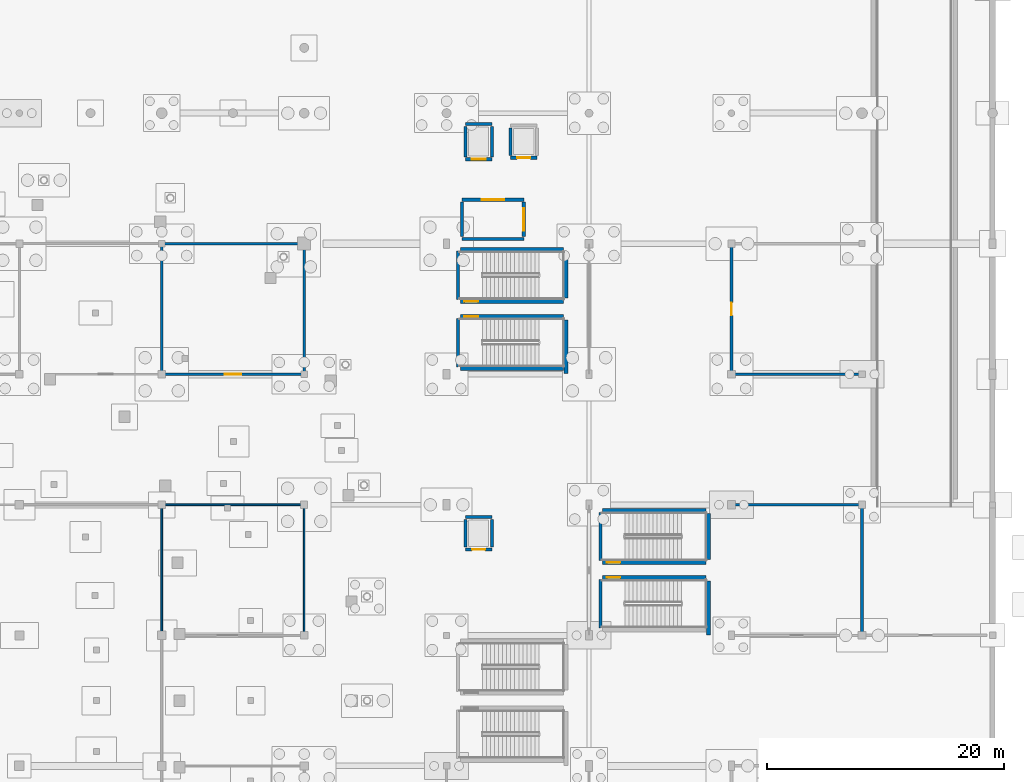
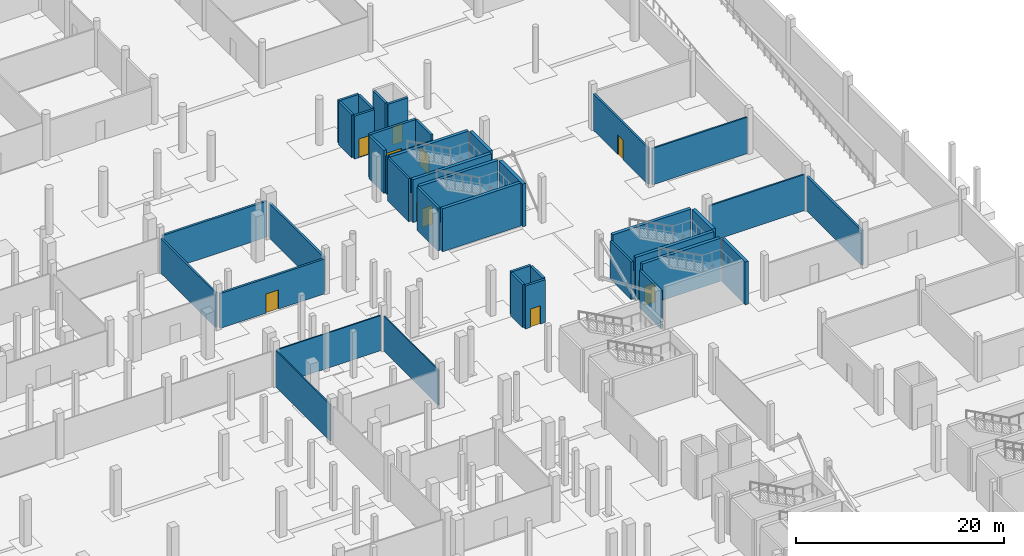
# One storey, part 39 of 60: 40 walls, 11 doors, 11 openings.
"""IFC4 building model written with IfcOpenShell, lengths in metres."""

from ifc_helpers import new_model, si_unit, direction, frame, frame_2d, origin, place, context, subcontext, project, spatial, rectangle, extrude, material, layer, layer_set, type_object, element, fill, save


model = new_model("IFC4")

# Units and contexts
model_context = context("Model", 3, precision=1e-05, world=origin(), true_north=direction((0.0, 1.0)))
body_context = subcontext(model_context, "Body", "Model", "MODEL_VIEW")
ifc_project = project(units=[si_unit("LENGTHUNIT", "METRE"), si_unit("AREAUNIT", "SQUARE_METRE"), si_unit("VOLUMEUNIT", "CUBIC_METRE"), si_unit("PLANEANGLEUNIT", "RADIAN"), si_unit("MASSUNIT", "GRAM", prefix="KILO")], contexts=[model_context])

# Site, building, storey
site_placement = place(None, origin())
site = spatial("IfcSite", under=ifc_project, at=site_placement, CompositionType="ELEMENT")
building_placement = place(site_placement, origin())
building = spatial("IfcBuilding", under=site, at=building_placement, Name="Luwafu Chhajja Arena", CompositionType="ELEMENT")
storey_placement = place(building_placement, frame((0.0, 0.0, -5.39990234375)))
storey = spatial("IfcBuildingStorey", under=building, at=storey_placement, Name="B1", CompositionType="ELEMENT", Elevation=-5.39990234375)

# Wall
ifc_material_1 = material(Name="Acoustic gypsum and mineral wool partition")
ifc_layer_1 = layer(ifc_material_1, 0.199951171875, Name="Acoustic gypsum and mineral wool partition")
ifc_layer_set_1 = layer_set([ifc_layer_1], Name="Acoustic gypsum and mineral wool partition")
wall_type_1 = type_object("IfcWallType", Name="Acoustic Broadcast Studio Partition 200", PredefinedType="PARTITIONING", material=ifc_layer_set_1)
wall_1_placement = place(storey_placement, frame((128.0, 77.219970703125, 0.0), z_axis=(0.0, 0.0, 1.0), x_axis=(0.0, 1.0, 0.0)))
element("IfcWall", 1, at=wall_1_placement, inside=storey, type_object=wall_type_1, Name="B1 Internal Partition 0126", PredefinedType="PARTITIONING", context=body_context, shape_type="SweptSolid", body=[
    extrude(rectangle(XDim=10.56005859375, YDim=0.199951171875, at=frame_2d((5.280029296875, 0.0))), origin(), (0.0, 0.0, 1.0), 4.079833984375),
])

# Wall, opening, door
ifc_material_2 = material(Name="Concrete blockwork masonry", Category="masonry")
ifc_layer_2 = layer(ifc_material_2, 0.239990234375, Name="Concrete blockwork masonry")
ifc_layer_set_2 = layer_set([ifc_layer_2], Name="Concrete blockwork masonry")
wall_type_2 = type_object("IfcWallType", Name="Compartment Masonry Partition 240", PredefinedType="PARTITIONING", material=ifc_layer_set_2)
wall_2_placement = place(storey_placement, frame((128.219970703125, 77.0, 0.0), z_axis=(0.0, 0.0, 1.0), x_axis=(1.0, 0.0, 0.0)))
wall_2 = element("IfcWall", 2, at=wall_2_placement, inside=storey, type_object=wall_type_2, Name="B1 Internal Partition 0068", PredefinedType="PARTITIONING", context=body_context, shape_type="SweptSolid", body=[
    extrude(rectangle(XDim=11.56005859375, YDim=0.239990234375, at=frame_2d((5.780029296875, 0.0))), origin(), (0.0, 0.0, 1.0), 4.079833984375),
])
opening_1_placement = place(wall_2_placement, frame((5.070068359375, 0.0, 0.0)))
opening_1 = element("IfcOpeningElement", 3, at=opening_1_placement, cuts=wall_2, Name="Opening DR-12", PredefinedType="OPENING", context=body_context, shape_type="SweptSolid", body=[
    extrude(rectangle(XDim=1.419921875, YDim=2.25, at=frame_2d((0.7099609375, 1.125))), frame((0.0, 0.1298828125, 0.0), z_axis=(0.0, -1.0, 0.0), x_axis=(1.0, 0.0, 0.0)), (0.0, 0.0, 1.0), 0.260009765625),
])
ifc_material_3 = material(Name="Powder-coated steel fire leaf", Category="steel")
door_type_1 = type_object("IfcDoorType", Name="DR-12", OperationType="NOTDEFINED", PredefinedType="DOOR", material=ifc_material_3)
door_1_placement = place(opening_1_placement, origin())
door_1 = element("IfcDoor", 4, at=door_1_placement, inside=storey, type_object=door_type_1, Name="B1 Interior Door B1-D057", OperationType="SINGLE_SWING_LEFT", OverallHeight=2.25, OverallWidth=1.419921875, PredefinedType="DOOR", context=body_context, shape_type="SweptSolid", body=[
    extrude(rectangle(XDim=1.419921875, YDim=2.25, at=frame_2d((0.7099609375, 1.125))), frame((0.0, 0.02490234375, 0.0), z_axis=(0.0, -1.0, 0.0), x_axis=(1.0, 0.0, 0.0)), (0.0, 0.0, 1.0), 0.050048828125),
])
fill(opening_1, door_1)

# Walls
wall_3_placement = place(storey_placement, frame((128.219970703125, 88.0, 0.0), z_axis=(0.0, 0.0, 1.0), x_axis=(1.0, 0.0, 0.0)))
element("IfcWall", 5, at=wall_3_placement, inside=storey, type_object=wall_type_2, Name="B1 Internal Partition 0069", PredefinedType="PARTITIONING", context=body_context, shape_type="SweptSolid", body=[
    extrude(rectangle(XDim=11.56005859375, YDim=0.239990234375, at=frame_2d((5.780029296875, 0.0))), origin(), (0.0, 0.0, 1.0), 4.22998046875),
])
for number, where, z_axis, x_axis, name in (
    (6, (140.0, 77.219970703125, 0.0), (0.0, 0.0, 1.0), (0.0, 1.0, 0.0), "B1 Internal Partition 0070"),
    (7, (187.0, 55.219970703125, 0.0), (0.0, 0.0, 1.0), (0.0, 1.0, 0.0), "B1 Internal Partition 0135"),
):
    element("IfcWall", number, at=place(storey_placement, frame(where, z_axis=z_axis, x_axis=x_axis)), inside=storey, type_object=wall_type_2, Name=name, PredefinedType="PARTITIONING", context=body_context, shape_type="SweptSolid", body=[
        extrude(rectangle(XDim=10.56005859375, YDim=0.239990234375, at=frame_2d((5.280029296875, 0.0))), origin(), (0.0, 0.0, 1.0), 4.079833984375),
    ])
ifc_material_4 = material(Name="Lightweight blockwork partition", Category="masonry")
ifc_layer_3 = layer(ifc_material_4, 0.139892578125, Name="Lightweight blockwork partition")
ifc_layer_set_3 = layer_set([ifc_layer_3], Name="Lightweight blockwork partition")
wall_type_3 = type_object("IfcWallType", Name="Concourse Kiosk Partition 140", PredefinedType="PARTITIONING", material=ifc_layer_set_3)
wall_4_placement = place(storey_placement, frame((128.219970703125, 66.0, 0.0), z_axis=(0.0, 0.0, 1.0), x_axis=(1.0, 0.0, 0.0)))
element("IfcWall", 8, at=wall_4_placement, inside=storey, type_object=wall_type_3, Name="B1 Internal Partition 0066", PredefinedType="PARTITIONING", context=body_context, shape_type="SweptSolid", body=[
    extrude(rectangle(XDim=11.56005859375, YDim=0.139892578125, at=frame_2d((5.780029296875, 0.0))), origin(), (0.0, 0.0, 1.0), 4.1298828125),
])
wall_5_placement = place(storey_placement, frame((128.0, 55.219970703125, 0.0), z_axis=(0.0, 0.0, 1.0), x_axis=(0.0, 1.0, 0.0)))
element("IfcWall", 9, at=wall_5_placement, inside=storey, type_object=wall_type_3, Name="B1 Internal Partition 0101", PredefinedType="PARTITIONING", context=body_context, shape_type="SweptSolid", body=[
    extrude(rectangle(XDim=10.56005859375, YDim=0.139892578125, at=frame_2d((5.280029296875, 0.0))), origin(), (0.0, 0.0, 1.0), 4.27978515625),
])

# Wall, opening, door
ifc_material_5 = material(Name="Concrete C40/50", Category="concrete")
ifc_layer_4 = layer(ifc_material_5, 0.260009765625, Name="Concrete C40/50")
ifc_layer_set_4 = layer_set([ifc_layer_4], Name="Concrete C40/50")
wall_type_4 = type_object("IfcWallType", Name="Firefighting Lobby Wall 260", PredefinedType="SOLIDWALL", material=ifc_layer_set_4)
wall_6_placement = place(storey_placement, frame((153.300048828125, 91.699951171875, 0.0), z_axis=(0.0, 0.0, 1.0), x_axis=(1.0, 0.0, 0.0)))
wall_6 = element("IfcWall", 10, at=wall_6_placement, inside=storey, type_object=wall_type_4, Name="B1 Core C4 Firefighting Lobby Wall N", PredefinedType="SOLIDWALL", context=body_context, shape_type="SweptSolid", body=[
    extrude(rectangle(XDim=5.199951171875, YDim=0.260009765625, at=frame_2d((2.60009765625, 0.0))), origin(), (0.0, 0.0, 1.0), 5.039794921875),
])
opening_2_placement = place(wall_6_placement, frame((1.64990234375, 0.0, 0.0)))
opening_2 = element("IfcOpeningElement", 11, at=opening_2_placement, cuts=wall_6, Name="Opening DR-07", PredefinedType="OPENING", context=body_context, shape_type="SweptSolid", body=[
    extrude(rectangle(XDim=1.89990234375, YDim=2.199951171875, at=frame_2d((0.949951171875, 1.10009765625))), frame((0.0, 0.139892578125, 0.0), z_axis=(0.0, -1.0, 0.0), x_axis=(1.0, 0.0, 0.0)), (0.0, 0.0, 1.0), 0.280029296875),
])
ifc_material_6 = material(Name="Fire-rated hardwood and vision panel", Category="wood")
door_type_2 = type_object("IfcDoorType", Name="DR-07", OperationType="DOUBLE_DOOR_SINGLE_SWING", PredefinedType="DOOR", material=ifc_material_6)
door_2_placement = place(opening_2_placement, origin())
door_2 = element("IfcDoor", 12, at=door_2_placement, inside=storey, type_object=door_type_2, Name="B1 Firefighting Lobby C4 Door B1-D015", OperationType="DOUBLE_DOOR_SINGLE_SWING", OverallHeight=2.199951171875, OverallWidth=1.89990234375, PredefinedType="DOOR", context=body_context, shape_type="SweptSolid", body=[
    extrude(rectangle(XDim=1.89990234375, YDim=2.199951171875, at=frame_2d((0.949951171875, 1.10009765625))), frame((0.0, 0.02490234375, 0.0), z_axis=(0.0, -1.0, 0.0), x_axis=(1.0, 0.0, 0.0)), (0.0, 0.0, 1.0), 0.050048828125),
])
fill(opening_2, door_2)

# Walls
wall_7_placement = place(storey_placement, frame((153.300048828125, 88.39990234375, 0.0), z_axis=(0.0, 0.0, 1.0), x_axis=(1.0, 0.0, 0.0)))
element("IfcWall", 13, at=wall_7_placement, inside=storey, type_object=wall_type_4, Name="B1 Core C4 Firefighting Lobby Wall S", PredefinedType="SOLIDWALL", context=body_context, shape_type="SweptSolid", body=[
    extrude(rectangle(XDim=5.199951171875, YDim=0.260009765625, at=frame_2d((2.60009765625, 0.0))), origin(), (0.0, 0.0, 1.0), 4.429931640625),
])
wall_8_placement = place(storey_placement, frame((153.300048828125, 88.60009765625, 0.0), z_axis=(0.0, 0.0, 1.0), x_axis=(0.0, 1.0, 0.0)))
element("IfcWall", 14, at=wall_8_placement, inside=storey, type_object=wall_type_4, Name="B1 Core C4 Firefighting Lobby Wall W", PredefinedType="SOLIDWALL", context=body_context, shape_type="SweptSolid", body=[
    extrude(rectangle(XDim=2.89990234375, YDim=0.260009765625, at=frame_2d((1.449951171875, 0.0))), origin(), (0.0, 0.0, 1.0), 5.039794921875),
])

# Wall, opening, door
wall_9_placement = place(storey_placement, frame((158.5, 88.60009765625, 0.0), z_axis=(0.0, 0.0, 1.0), x_axis=(0.0, 1.0, 0.0)))
wall_9 = element("IfcWall", 15, at=wall_9_placement, inside=storey, type_object=wall_type_4, Name="B1 Core C4 Firefighting Lobby Wall E", PredefinedType="SOLIDWALL", context=body_context, shape_type="SweptSolid", body=[
    extrude(rectangle(XDim=2.89990234375, YDim=0.260009765625, at=frame_2d((1.449951171875, 0.0))), origin(), (0.0, 0.0, 1.0), 5.039794921875),
])
opening_3_placement = place(wall_9_placement, frame((0.5, 0.0, 0.0)))
opening_3 = element("IfcOpeningElement", 16, at=opening_3_placement, cuts=wall_9, Name="Opening DR-07", PredefinedType="OPENING", context=body_context, shape_type="SweptSolid", body=[
    extrude(rectangle(XDim=1.89990234375, YDim=2.199951171875, at=frame_2d((0.949951171875, 1.10009765625))), frame((0.0, 0.139892578125, 0.0), z_axis=(0.0, -1.0, 0.0), x_axis=(1.0, 0.0, 0.0)), (0.0, 0.0, 1.0), 0.280029296875),
])
door_3_placement = place(opening_3_placement, origin())
door_3 = element("IfcDoor", 17, at=door_3_placement, inside=storey, type_object=door_type_2, Name="B1 Firefighting Lobby C4 Door B1-D016", OperationType="DOUBLE_DOOR_SINGLE_SWING", OverallHeight=2.199951171875, OverallWidth=1.89990234375, PredefinedType="DOOR", context=body_context, shape_type="SweptSolid", body=[
    extrude(rectangle(XDim=1.89990234375, YDim=2.199951171875, at=frame_2d((0.949951171875, 1.10009765625))), frame((0.0, 0.02490234375, 0.0), z_axis=(0.0, -1.0, 0.0), x_axis=(1.0, 0.0, 0.0)), (0.0, 0.0, 1.0), 0.050048828125),
])
fill(opening_3, door_3)

# Walls
ifc_layer_5 = layer(ifc_material_2, 0.179931640625, Name="Concrete blockwork masonry")
ifc_layer_set_5 = layer_set([ifc_layer_5], Name="Concrete blockwork masonry")
wall_type_5 = type_object("IfcWallType", Name="Hospitality Suite Partition 180", PredefinedType="PARTITIONING", material=ifc_layer_set_5)
wall_10_placement = place(storey_placement, frame((176.219970703125, 66.0, 0.0), z_axis=(0.0, 0.0, 1.0), x_axis=(1.0, 0.0, 0.0)))
element("IfcWall", 18, at=wall_10_placement, inside=storey, type_object=wall_type_5, Name="B1 Internal Partition 0090", PredefinedType="PARTITIONING", context=body_context, shape_type="SweptSolid", body=[
    extrude(rectangle(XDim=10.56005859375, YDim=0.179931640625, at=frame_2d((5.280029296875, 0.0))), origin(), (0.0, 0.0, 1.0), 4.22998046875),
])
wall_11_placement = place(storey_placement, frame((176.219970703125, 77.0, 0.0), z_axis=(0.0, 0.0, 1.0), x_axis=(1.0, 0.0, 0.0)))
element("IfcWall", 19, at=wall_11_placement, inside=storey, type_object=wall_type_5, Name="B1 Internal Partition 0091", PredefinedType="PARTITIONING", context=body_context, shape_type="SweptSolid", body=[
    extrude(rectangle(XDim=10.56005859375, YDim=0.179931640625, at=frame_2d((5.280029296875, 0.0))), origin(), (0.0, 0.0, 1.0), 4.27978515625),
])
ifc_material_7 = material(Name="Acoustic metal-stud gypsum board")
ifc_layer_6 = layer(ifc_material_7, 0.1201171875, Name="Acoustic metal-stud gypsum board")
ifc_layer_set_6 = layer_set([ifc_layer_6], Name="Acoustic metal-stud gypsum board")
wall_type_6 = type_object("IfcWallType", Name="Internal Room Partition 120", PredefinedType="PARTITIONING", material=ifc_layer_set_6)
wall_12_placement = place(storey_placement, frame((140.0, 55.219970703125, 0.0), z_axis=(0.0, 0.0, 1.0), x_axis=(0.0, 1.0, 0.0)))
element("IfcWall", 20, at=wall_12_placement, inside=storey, type_object=wall_type_6, Name="B1 Internal Partition 0067", PredefinedType="PARTITIONING", context=body_context, shape_type="SweptSolid", body=[
    extrude(rectangle(XDim=10.56005859375, YDim=0.1201171875, at=frame_2d((5.280029296875, 0.0))), origin(), (0.0, 0.0, 1.0), 4.1298828125),
])

# Wall, opening, door
ifc_material_8 = material(Name="Concrete C35/45", Category="concrete")
ifc_layer_7 = layer(ifc_material_8, 0.260009765625, Name="Concrete C35/45")
ifc_layer_set_7 = layer_set([ifc_layer_7], Name="Concrete C35/45")
wall_type_7 = type_object("IfcWallType", Name="Lift and Riser Shaft Wall 260", PredefinedType="SOLIDWALL", material=ifc_layer_set_7)
wall_13_placement = place(storey_placement, frame((153.590087890625, 95.114990234375, 0.0), z_axis=(0.0, 0.0, 1.0), x_axis=(1.0, 0.0, 0.0)))
wall_13 = element("IfcWall", 21, at=wall_13_placement, inside=storey, type_object=wall_type_7, Name="B1 Lift LF-04 Shaft Wall S", PredefinedType="SOLIDWALL", context=body_context, shape_type="SweptSolid", body=[
    extrude(rectangle(XDim=2.219970703125, YDim=0.260009765625, at=frame_2d((1.10986328125, 0.0))), origin(), (0.0, 0.0, 1.0), 5.039794921875),
])
opening_4_placement = place(wall_13_placement, frame((0.510009765625, 0.0, 0.0)))
opening_4 = element("IfcOpeningElement", 22, at=opening_4_placement, cuts=wall_13, Name="Opening LD-02", PredefinedType="OPENING", context=body_context, shape_type="SweptSolid", body=[
    extrude(rectangle(XDim=1.199951171875, YDim=2.199951171875, at=frame_2d((0.60009765625, 1.10009765625))), frame((0.0, 0.139892578125, 0.0), z_axis=(0.0, -1.0, 0.0), x_axis=(1.0, 0.0, 0.0)), (0.0, 0.0, 1.0), 0.280029296875),
])
ifc_material_9 = material(Name="Brushed stainless steel sliding leaves", Category="steel")
door_type_3 = type_object("IfcDoorType", Name="LD-02", OperationType="SLIDING_TO_LEFT", PredefinedType="DOOR", material=ifc_material_9)
door_4_placement = place(opening_4_placement, origin())
door_4 = element("IfcDoor", 23, at=door_4_placement, inside=storey, type_object=door_type_3, Name="B1 Lift LF-04 Landing Door B1-LD07", OperationType="SLIDING_TO_LEFT", OverallHeight=2.199951171875, OverallWidth=1.199951171875, PredefinedType="DOOR", context=body_context, shape_type="SweptSolid", body=[
    extrude(rectangle(XDim=1.199951171875, YDim=2.199951171875, at=frame_2d((0.60009765625, 1.10009765625))), frame((0.0, 0.02490234375, 0.0), z_axis=(0.0, -1.0, 0.0), x_axis=(1.0, 0.0, 0.0)), (0.0, 0.0, 1.0), 0.050048828125),
])
fill(opening_4, door_4)

# Walls
wall_14_placement = place(storey_placement, frame((153.590087890625, 98.0849609375, 0.0), z_axis=(0.0, 0.0, 1.0), x_axis=(1.0, 0.0, 0.0)))
element("IfcWall", 24, at=wall_14_placement, inside=storey, type_object=wall_type_7, Name="B1 Lift LF-04 Shaft Wall N", PredefinedType="SOLIDWALL", context=body_context, shape_type="SweptSolid", body=[
    extrude(rectangle(XDim=2.219970703125, YDim=0.260009765625, at=frame_2d((1.10986328125, 0.0))), origin(), (0.0, 0.0, 1.0), 5.039794921875),
])
for number, where, z_axis, x_axis, name in (
    (25, (153.590087890625, 95.31494140625, 0.0), (0.0, 0.0, 1.0), (0.0, 1.0, 0.0), "B1 Lift LF-04 Shaft Wall W"),
    (26, (155.81005859375, 95.31494140625, 0.0), (0.0, 0.0, 1.0), (0.0, 1.0, 0.0), "B1 Lift LF-04 Shaft Wall E"),
):
    element("IfcWall", number, at=place(storey_placement, frame(where, z_axis=z_axis, x_axis=x_axis)), inside=storey, type_object=wall_type_7, Name=name, PredefinedType="SOLIDWALL", context=body_context, shape_type="SweptSolid", body=[
        extrude(rectangle(XDim=2.570068359375, YDim=0.260009765625, at=frame_2d((1.28515625, 0.0))), origin(), (0.0, 0.0, 1.0), 5.039794921875),
    ])

# Wall, opening, door
wall_15_placement = place(storey_placement, frame((157.389892578125, 95.239990234375, 0.0), z_axis=(0.0, 0.0, 1.0), x_axis=(1.0, 0.0, 0.0)))
wall_15 = element("IfcWall", 27, at=wall_15_placement, inside=storey, type_object=wall_type_7, Name="B1 Lift LF-08 Shaft Wall S", PredefinedType="SOLIDWALL", context=body_context, shape_type="SweptSolid", body=[
    extrude(rectangle(XDim=2.22021484375, YDim=0.260009765625, at=frame_2d((1.110107421875, 0.0))), origin(), (0.0, 0.0, 1.0), 5.039794921875),
])
opening_5_placement = place(wall_15_placement, frame((0.56005859375, 0.0, 0.0)))
opening_5 = element("IfcOpeningElement", 28, at=opening_5_placement, cuts=wall_15, Name="Opening LD-01", PredefinedType="OPENING", context=body_context, shape_type="SweptSolid", body=[
    extrude(rectangle(XDim=1.10009765625, YDim=2.14990234375, at=frame_2d((0.550048828125, 1.074951171875))), frame((0.0, 0.139892578125, 0.0), z_axis=(0.0, -1.0, 0.0), x_axis=(1.0, 0.0, 0.0)), (0.0, 0.0, 1.0), 0.280029296875),
])
door_type_4 = type_object("IfcDoorType", Name="LD-01", OperationType="SLIDING_TO_LEFT", PredefinedType="DOOR", material=ifc_material_9)
door_5_placement = place(opening_5_placement, origin())
door_5 = element("IfcDoor", 29, at=door_5_placement, inside=storey, type_object=door_type_4, Name="B1 Lift LF-08 Landing Door B1-LD08", OperationType="SLIDING_TO_LEFT", OverallHeight=2.14990234375, OverallWidth=1.10009765625, PredefinedType="DOOR", context=body_context, shape_type="SweptSolid", body=[
    extrude(rectangle(XDim=1.10009765625, YDim=2.14990234375, at=frame_2d((0.550048828125, 1.074951171875))), frame((0.0, 0.02490234375, 0.0), z_axis=(0.0, -1.0, 0.0), x_axis=(1.0, 0.0, 0.0)), (0.0, 0.0, 1.0), 0.050048828125),
])
fill(opening_5, door_5)

# Wall
wall_16_placement = place(storey_placement, frame((157.389892578125, 95.43994140625, 0.0), z_axis=(0.0, 0.0, 1.0), x_axis=(0.0, 1.0, 0.0)))
element("IfcWall", 30, at=wall_16_placement, inside=storey, type_object=wall_type_7, Name="B1 Lift LF-08 Shaft Wall W", PredefinedType="SOLIDWALL", context=body_context, shape_type="SweptSolid", body=[
    extrude(rectangle(XDim=2.320068359375, YDim=0.260009765625, at=frame_2d((1.16015625, 0.0))), origin(), (0.0, 0.0, 1.0), 5.039794921875),
])

# Wall, opening, door
wall_17_placement = place(storey_placement, frame((153.590087890625, 62.239990234375, 0.0), z_axis=(0.0, 0.0, 1.0), x_axis=(1.0, 0.0, 0.0)))
wall_17 = element("IfcWall", 31, at=wall_17_placement, inside=storey, type_object=wall_type_7, Name="B1 Lift LF-10 Shaft Wall S", PredefinedType="SOLIDWALL", context=body_context, shape_type="SweptSolid", body=[
    extrude(rectangle(XDim=2.219970703125, YDim=0.260009765625, at=frame_2d((1.10986328125, 0.0))), origin(), (0.0, 0.0, 1.0), 5.039794921875),
])
opening_6_placement = place(wall_17_placement, frame((0.56005859375, 0.0, 0.0)))
opening_6 = element("IfcOpeningElement", 32, at=opening_6_placement, cuts=wall_17, Name="Opening LD-01", PredefinedType="OPENING", context=body_context, shape_type="SweptSolid", body=[
    extrude(rectangle(XDim=1.10009765625, YDim=2.14990234375, at=frame_2d((0.550048828125, 1.074951171875))), frame((0.0, 0.139892578125, 0.0), z_axis=(0.0, -1.0, 0.0), x_axis=(1.0, 0.0, 0.0)), (0.0, 0.0, 1.0), 0.280029296875),
])
door_6_placement = place(opening_6_placement, origin())
door_6 = element("IfcDoor", 33, at=door_6_placement, inside=storey, type_object=door_type_4, Name="B1 Lift LF-10 Landing Door B1-LD10", OperationType="SLIDING_TO_LEFT", OverallHeight=2.14990234375, OverallWidth=1.10009765625, PredefinedType="DOOR", context=body_context, shape_type="SweptSolid", body=[
    extrude(rectangle(XDim=1.10009765625, YDim=2.14990234375, at=frame_2d((0.550048828125, 1.074951171875))), frame((0.0, 0.02490234375, 0.0), z_axis=(0.0, -1.0, 0.0), x_axis=(1.0, 0.0, 0.0)), (0.0, 0.0, 1.0), 0.050048828125),
])
fill(opening_6, door_6)

# Walls
wall_18_placement = place(storey_placement, frame((153.590087890625, 64.9599609375, 0.0), z_axis=(0.0, 0.0, 1.0), x_axis=(1.0, 0.0, 0.0)))
element("IfcWall", 34, at=wall_18_placement, inside=storey, type_object=wall_type_7, Name="B1 Lift LF-10 Shaft Wall N", PredefinedType="SOLIDWALL", context=body_context, shape_type="SweptSolid", body=[
    extrude(rectangle(XDim=2.219970703125, YDim=0.260009765625, at=frame_2d((1.10986328125, 0.0))), origin(), (0.0, 0.0, 1.0), 5.039794921875),
])
for number, where, z_axis, x_axis, name in (
    (35, (153.590087890625, 62.43994140625, 0.0), (0.0, 0.0, 1.0), (0.0, 1.0, 0.0), "B1 Lift LF-10 Shaft Wall W"),
    (36, (155.81005859375, 62.43994140625, 0.0), (0.0, 0.0, 1.0), (0.0, 1.0, 0.0), "B1 Lift LF-10 Shaft Wall E"),
):
    element("IfcWall", number, at=place(storey_placement, frame(where, z_axis=z_axis, x_axis=x_axis)), inside=storey, type_object=wall_type_7, Name=name, PredefinedType="SOLIDWALL", context=body_context, shape_type="SweptSolid", body=[
        extrude(rectangle(XDim=2.320068359375, YDim=0.260009765625, at=frame_2d((1.16015625, 0.0))), origin(), (0.0, 0.0, 1.0), 5.039794921875),
    ])

# Wall, opening, door
ifc_layer_8 = layer(ifc_material_2, 0.219970703125, Name="Concrete blockwork masonry")
ifc_layer_set_8 = layer_set([ifc_layer_8], Name="Concrete blockwork masonry")
wall_type_8 = type_object("IfcWallType", Name="Protected Corridor Partition 220", PredefinedType="PARTITIONING", material=ifc_layer_set_8)
wall_19_placement = place(storey_placement, frame((176.0, 77.219970703125, 0.0), z_axis=(0.0, 0.0, 1.0), x_axis=(0.0, 1.0, 0.0)))
wall_19 = element("IfcWall", 37, at=wall_19_placement, inside=storey, type_object=wall_type_8, Name="B1 Internal Partition 0085", PredefinedType="PARTITIONING", context=body_context, shape_type="SweptSolid", body=[
    extrude(rectangle(XDim=10.56005859375, YDim=0.219970703125, at=frame_2d((5.280029296875, 0.0))), origin(), (0.0, 0.0, 1.0), 4.27978515625),
])
opening_7_placement = place(wall_19_placement, frame((4.75, 0.0, 0.0)))
opening_7 = element("IfcOpeningElement", 38, at=opening_7_placement, cuts=wall_19, Name="Opening DR-14", PredefinedType="OPENING", context=body_context, shape_type="SweptSolid", body=[
    extrude(rectangle(XDim=1.06005859375, YDim=2.300048828125, at=frame_2d((0.530029296875, 1.14990234375))), frame((0.0, 0.119873046875, 0.0), z_axis=(0.0, -1.0, 0.0), x_axis=(1.0, 0.0, 0.0)), (0.0, 0.0, 1.0), 0.239990234375),
])
ifc_material_10 = material(Name="Veneered hardwood acoustic leaf", Category="wood")
door_type_5 = type_object("IfcDoorType", Name="DR-14", OperationType="NOTDEFINED", PredefinedType="DOOR", material=ifc_material_10)
door_7_placement = place(opening_7_placement, origin())
door_7 = element("IfcDoor", 39, at=door_7_placement, inside=storey, type_object=door_type_5, Name="B1 Interior Door B1-D067", OperationType="SINGLE_SWING_RIGHT", OverallHeight=2.300048828125, OverallWidth=1.06005859375, PredefinedType="DOOR", context=body_context, shape_type="SweptSolid", body=[
    extrude(rectangle(XDim=1.06005859375, YDim=2.300048828125, at=frame_2d((0.530029296875, 1.14990234375))), frame((0.0, 0.02490234375, 0.0), z_axis=(0.0, -1.0, 0.0), x_axis=(1.0, 0.0, 0.0)), (0.0, 0.0, 1.0), 0.050048828125),
])
fill(opening_7, door_7)

# Walls
ifc_layer_9 = layer(ifc_material_5, 0.35009765625, Name="Concrete C40/50")
ifc_layer_set_9 = layer_set([ifc_layer_9], Name="Concrete C40/50")
wall_type_9 = type_object("IfcWallType", Name="RC Core Shear Wall 350", PredefinedType="SOLIDWALL", material=ifc_layer_set_9)
wall_20_placement = place(storey_placement, frame((162.072021484375, 77.050048828125, 0.0), z_axis=(0.0, 0.0, 1.0), x_axis=(0.0, 1.0, 0.0)))
element("IfcWall", 40, at=wall_20_placement, inside=storey, type_object=wall_type_9, Name="B1 Stair ST-07 Core Shear Wall E", PredefinedType="SOLIDWALL", context=body_context, shape_type="SweptSolid", body=[
    extrude(rectangle(XDim=4.5400390625, YDim=0.35009765625, at=frame_2d((2.27001953125, 0.0))), origin(), (0.0, 0.0, 1.0), 5.039794921875),
])
wall_21_placement = place(storey_placement, frame((153.14990234375, 77.47802734375, 0.0), z_axis=(0.0, 0.0, 1.0), x_axis=(1.0, 0.0, 0.0)))
element("IfcWall", 41, at=wall_21_placement, inside=storey, type_object=wall_type_9, Name="B1 Stair ST-07 Core Shear Wall S", PredefinedType="SOLIDWALL", context=body_context, shape_type="SweptSolid", body=[
    extrude(rectangle(XDim=8.7001953125, YDim=0.35009765625, at=frame_2d((4.35009765625, 0.0))), origin(), (0.0, 0.0, 1.0), 5.039794921875),
])

# Wall, opening, door
wall_22_placement = place(storey_placement, frame((153.14990234375, 81.862060546875, 0.0), z_axis=(0.0, 0.0, 1.0), x_axis=(1.0, 0.0, 0.0)))
wall_22 = element("IfcWall", 42, at=wall_22_placement, inside=storey, type_object=wall_type_9, Name="B1 Stair ST-07 Core Shear Wall N", PredefinedType="SOLIDWALL", context=body_context, shape_type="SweptSolid", body=[
    extrude(rectangle(XDim=8.7001953125, YDim=0.35009765625, at=frame_2d((4.35009765625, 0.0))), origin(), (0.0, 0.0, 1.0), 5.039794921875),
])
opening_8_placement = place(wall_22_placement, frame((0.35009765625, 0.0, 0.0)))
opening_8 = element("IfcOpeningElement", 43, at=opening_8_placement, cuts=wall_22, Name="Opening DR-06", PredefinedType="OPENING", context=body_context, shape_type="SweptSolid", body=[
    extrude(rectangle(XDim=1.14990234375, YDim=2.199951171875, at=frame_2d((0.574951171875, 1.10009765625))), frame((0.0, 0.18505859375, 0.0), z_axis=(0.0, -1.0, 0.0), x_axis=(1.0, 0.0, 0.0)), (0.0, 0.0, 1.0), 0.3701171875),
])
ifc_material_11 = material(Name="Fire-rated hardwood and steel core", Category="steel")
door_type_6 = type_object("IfcDoorType", Name="DR-06", OperationType="NOTDEFINED", PredefinedType="DOOR", material=ifc_material_11)
door_8_placement = place(opening_8_placement, origin())
door_8 = element("IfcDoor", 44, at=door_8_placement, inside=storey, type_object=door_type_6, Name="B1 Escape Stair ST-07 Fire Door B1-D013", OperationType="SINGLE_SWING_RIGHT", OverallHeight=2.199951171875, OverallWidth=1.14990234375, PredefinedType="DOOR", context=body_context, shape_type="SweptSolid", body=[
    extrude(rectangle(XDim=1.14990234375, YDim=2.199951171875, at=frame_2d((0.574951171875, 1.10009765625))), frame((0.0, 0.02490234375, 0.0), z_axis=(0.0, -1.0, 0.0), x_axis=(1.0, 0.0, 0.0)), (0.0, 0.0, 1.0), 0.050048828125),
])
fill(opening_8, door_8)

# Wall
wall_23_placement = place(storey_placement, frame((162.072021484375, 83.409912109375, 0.0), z_axis=(0.0, 0.0, 1.0), x_axis=(0.0, 1.0, 0.0)))
element("IfcWall", 45, at=wall_23_placement, inside=storey, type_object=wall_type_9, Name="B1 Stair ST-08 Core Shear Wall E", PredefinedType="SOLIDWALL", context=body_context, shape_type="SweptSolid", body=[
    extrude(rectangle(XDim=3.840087890625, YDim=0.35009765625, at=frame_2d((1.919921875, 0.0))), origin(), (0.0, 0.0, 1.0), 5.039794921875),
])

# Wall, opening, door
wall_24_placement = place(storey_placement, frame((153.14990234375, 83.137939453125, 0.0), z_axis=(0.0, 0.0, 1.0), x_axis=(1.0, 0.0, 0.0)))
wall_24 = element("IfcWall", 46, at=wall_24_placement, inside=storey, type_object=wall_type_9, Name="B1 Stair ST-08 Core Shear Wall S", PredefinedType="SOLIDWALL", context=body_context, shape_type="SweptSolid", body=[
    extrude(rectangle(XDim=8.7001953125, YDim=0.35009765625, at=frame_2d((4.35009765625, 0.0))), origin(), (0.0, 0.0, 1.0), 5.039794921875),
])
opening_9_placement = place(wall_24_placement, frame((0.35009765625, 0.0, 0.0)))
opening_9 = element("IfcOpeningElement", 47, at=opening_9_placement, cuts=wall_24, Name="Opening DR-06", PredefinedType="OPENING", context=body_context, shape_type="SweptSolid", body=[
    extrude(rectangle(XDim=1.14990234375, YDim=2.199951171875, at=frame_2d((0.574951171875, 1.10009765625))), frame((0.0, 0.18505859375, 0.0), z_axis=(0.0, -1.0, 0.0), x_axis=(1.0, 0.0, 0.0)), (0.0, 0.0, 1.0), 0.3701171875),
])
door_9_placement = place(opening_9_placement, origin())
door_9 = element("IfcDoor", 48, at=door_9_placement, inside=storey, type_object=door_type_6, Name="B1 Escape Stair ST-08 Fire Door B1-D014", OperationType="SINGLE_SWING_LEFT", OverallHeight=2.199951171875, OverallWidth=1.14990234375, PredefinedType="DOOR", context=body_context, shape_type="SweptSolid", body=[
    extrude(rectangle(XDim=1.14990234375, YDim=2.199951171875, at=frame_2d((0.574951171875, 1.10009765625))), frame((0.0, 0.02490234375, 0.0), z_axis=(0.0, -1.0, 0.0), x_axis=(1.0, 0.0, 0.0)), (0.0, 0.0, 1.0), 0.050048828125),
])
fill(opening_9, door_9)

# Walls
wall_25_placement = place(storey_placement, frame((153.14990234375, 87.52197265625, 0.0), z_axis=(0.0, 0.0, 1.0), x_axis=(1.0, 0.0, 0.0)))
element("IfcWall", 49, at=wall_25_placement, inside=storey, type_object=wall_type_9, Name="B1 Stair ST-08 Core Shear Wall N", PredefinedType="SOLIDWALL", context=body_context, shape_type="SweptSolid", body=[
    extrude(rectangle(XDim=8.7001953125, YDim=0.35009765625, at=frame_2d((4.35009765625, 0.0))), origin(), (0.0, 0.0, 1.0), 5.039794921875),
])
wall_26_placement = place(storey_placement, frame((174.072021484375, 55.050048828125, 0.0), z_axis=(0.0, 0.0, 1.0), x_axis=(0.0, 1.0, 0.0)))
element("IfcWall", 50, at=wall_26_placement, inside=storey, type_object=wall_type_9, Name="B1 Stair ST-19 Core Shear Wall E", PredefinedType="SOLIDWALL", context=body_context, shape_type="SweptSolid", body=[
    extrude(rectangle(XDim=4.5400390625, YDim=0.35009765625, at=frame_2d((2.27001953125, 0.0))), origin(), (0.0, 0.0, 1.0), 5.039794921875),
])

# Wall, opening, door
wall_27_placement = place(storey_placement, frame((165.14990234375, 59.862060546875, 0.0), z_axis=(0.0, 0.0, 1.0), x_axis=(1.0, 0.0, 0.0)))
wall_27 = element("IfcWall", 51, at=wall_27_placement, inside=storey, type_object=wall_type_9, Name="B1 Stair ST-19 Core Shear Wall N", PredefinedType="SOLIDWALL", context=body_context, shape_type="SweptSolid", body=[
    extrude(rectangle(XDim=8.7001953125, YDim=0.35009765625, at=frame_2d((4.35009765625, 0.0))), origin(), (0.0, 0.0, 1.0), 5.039794921875),
])
opening_10_placement = place(wall_27_placement, frame((0.35009765625, 0.0, 0.0)))
opening_10 = element("IfcOpeningElement", 52, at=opening_10_placement, cuts=wall_27, Name="Opening DR-06", PredefinedType="OPENING", context=body_context, shape_type="SweptSolid", body=[
    extrude(rectangle(XDim=1.14990234375, YDim=2.199951171875, at=frame_2d((0.574951171875, 1.10009765625))), frame((0.0, 0.18505859375, 0.0), z_axis=(0.0, -1.0, 0.0), x_axis=(1.0, 0.0, 0.0)), (0.0, 0.0, 1.0), 0.3701171875),
])
door_10_placement = place(opening_10_placement, origin())
door_10 = element("IfcDoor", 53, at=door_10_placement, inside=storey, type_object=door_type_6, Name="B1 Escape Stair ST-19 Fire Door B1-D027", OperationType="SINGLE_SWING_RIGHT", OverallHeight=2.199951171875, OverallWidth=1.14990234375, PredefinedType="DOOR", context=body_context, shape_type="SweptSolid", body=[
    extrude(rectangle(XDim=1.14990234375, YDim=2.199951171875, at=frame_2d((0.574951171875, 1.10009765625))), frame((0.0, 0.02490234375, 0.0), z_axis=(0.0, -1.0, 0.0), x_axis=(1.0, 0.0, 0.0)), (0.0, 0.0, 1.0), 0.050048828125),
])
fill(opening_10, door_10)

# Wall
wall_28_placement = place(storey_placement, frame((174.072021484375, 61.409912109375, 0.0), z_axis=(0.0, 0.0, 1.0), x_axis=(0.0, 1.0, 0.0)))
element("IfcWall", 54, at=wall_28_placement, inside=storey, type_object=wall_type_9, Name="B1 Stair ST-20 Core Shear Wall E", PredefinedType="SOLIDWALL", context=body_context, shape_type="SweptSolid", body=[
    extrude(rectangle(XDim=3.840087890625, YDim=0.35009765625, at=frame_2d((1.919921875, 0.0))), origin(), (0.0, 0.0, 1.0), 5.039794921875),
])

# Wall, opening, door
wall_29_placement = place(storey_placement, frame((165.14990234375, 61.137939453125, 0.0), z_axis=(0.0, 0.0, 1.0), x_axis=(1.0, 0.0, 0.0)))
wall_29 = element("IfcWall", 55, at=wall_29_placement, inside=storey, type_object=wall_type_9, Name="B1 Stair ST-20 Core Shear Wall S", PredefinedType="SOLIDWALL", context=body_context, shape_type="SweptSolid", body=[
    extrude(rectangle(XDim=8.7001953125, YDim=0.35009765625, at=frame_2d((4.35009765625, 0.0))), origin(), (0.0, 0.0, 1.0), 5.039794921875),
])
opening_11_placement = place(wall_29_placement, frame((0.35009765625, 0.0, 0.0)))
opening_11 = element("IfcOpeningElement", 56, at=opening_11_placement, cuts=wall_29, Name="Opening DR-06", PredefinedType="OPENING", context=body_context, shape_type="SweptSolid", body=[
    extrude(rectangle(XDim=1.14990234375, YDim=2.199951171875, at=frame_2d((0.574951171875, 1.10009765625))), frame((0.0, 0.18505859375, 0.0), z_axis=(0.0, -1.0, 0.0), x_axis=(1.0, 0.0, 0.0)), (0.0, 0.0, 1.0), 0.3701171875),
])
door_11_placement = place(opening_11_placement, origin())
door_11 = element("IfcDoor", 57, at=door_11_placement, inside=storey, type_object=door_type_6, Name="B1 Escape Stair ST-20 Fire Door B1-D028", OperationType="SINGLE_SWING_LEFT", OverallHeight=2.199951171875, OverallWidth=1.14990234375, PredefinedType="DOOR", context=body_context, shape_type="SweptSolid", body=[
    extrude(rectangle(XDim=1.14990234375, YDim=2.199951171875, at=frame_2d((0.574951171875, 1.10009765625))), frame((0.0, 0.02490234375, 0.0), z_axis=(0.0, -1.0, 0.0), x_axis=(1.0, 0.0, 0.0)), (0.0, 0.0, 1.0), 0.050048828125),
])
fill(opening_11, door_11)

# Walls
wall_30_placement = place(storey_placement, frame((165.14990234375, 65.52197265625, 0.0), z_axis=(0.0, 0.0, 1.0), x_axis=(1.0, 0.0, 0.0)))
element("IfcWall", 58, at=wall_30_placement, inside=storey, type_object=wall_type_9, Name="B1 Stair ST-20 Core Shear Wall N", PredefinedType="SOLIDWALL", context=body_context, shape_type="SweptSolid", body=[
    extrude(rectangle(XDim=8.7001953125, YDim=0.35009765625, at=frame_2d((4.35009765625, 0.0))), origin(), (0.0, 0.0, 1.0), 5.039794921875),
])
ifc_layer_10 = layer(ifc_material_8, 0.22998046875, Name="Concrete C35/45")
ifc_layer_set_10 = layer_set([ifc_layer_10], Name="Concrete C35/45")
wall_type_10 = type_object("IfcWallType", Name="Stair Enclosure Wall 230", PredefinedType="SOLIDWALL", material=ifc_layer_set_10)
for number, where, z_axis, x_axis, name in (
    (59, (152.9599609375, 77.6298828125, 0.0), (0.0, 0.0, 1.0), (0.0, 1.0, 0.0), "B1 Stair ST-07 Enclosure Wall W"),
    (60, (152.9599609375, 83.2900390625, 0.0), (0.0, 0.0, 1.0), (0.0, 1.0, 0.0), "B1 Stair ST-08 Enclosure Wall W"),
):
    element("IfcWall", number, at=place(storey_placement, frame(where, z_axis=z_axis, x_axis=x_axis)), inside=storey, type_object=wall_type_10, Name=name, PredefinedType="SOLIDWALL", context=body_context, shape_type="SweptSolid", body=[
        extrude(rectangle(XDim=4.080078125, YDim=0.22998046875, at=frame_2d((2.0400390625, 0.0))), origin(), (0.0, 0.0, 1.0), 5.039794921875),
    ])
for number, where, z_axis, x_axis, name in (
    (61, (164.9599609375, 55.6298828125, 0.0), (0.0, 0.0, 1.0), (0.0, 1.0, 0.0), "B1 Stair ST-19 Enclosure Wall W"),
    (62, (164.9599609375, 61.2900390625, 0.0), (0.0, 0.0, 1.0), (0.0, 1.0, 0.0), "B1 Stair ST-20 Enclosure Wall W"),
):
    element("IfcWall", number, at=place(storey_placement, frame(where, z_axis=z_axis, x_axis=x_axis)), inside=storey, type_object=wall_type_10, Name=name, PredefinedType="SOLIDWALL", context=body_context, shape_type="SweptSolid", body=[
        extrude(rectangle(XDim=4.080078125, YDim=0.22998046875, at=frame_2d((2.0400390625, 0.0))), origin(), (0.0, 0.0, 1.0), 4.429931640625),
    ])

save(model, "model.ifc")
